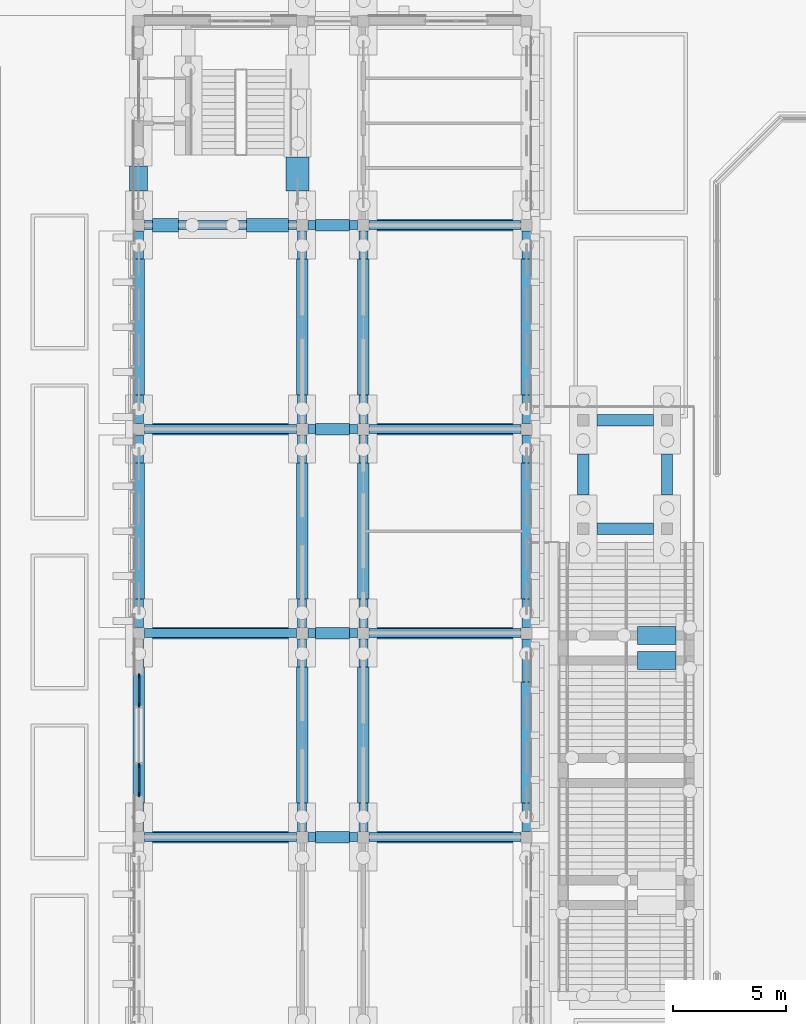
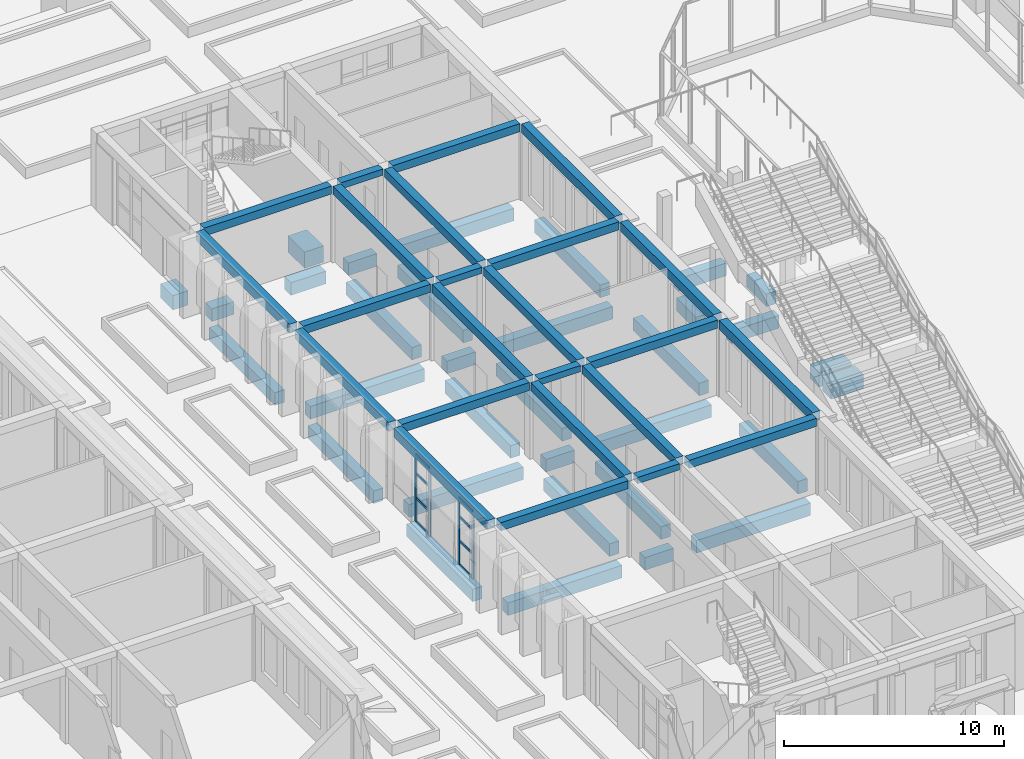
# One storey, part 36 of 161: 57 beams, 12 members, 2 elements without a shape of their own.
"""IFC4 building model written with IfcOpenShell, lengths in metres."""

from ifc_helpers import new_model, si_unit, direction, frame, origin, origin_2d, place, context, subcontext, project, spatial, rectangle, extrude, material, layer, layer_set, material_profile, profile_set, type_object, element, aggregate, save


model = new_model("IFC4")

# Units and contexts
model_context = context("Model", 3, precision=1e-05, world=origin(), true_north=direction((0.0, 1.0)))
body_context = subcontext(model_context, "Body", "Model", "MODEL_VIEW")
ifc_project = project(units=[si_unit("LENGTHUNIT", "METRE"), si_unit("AREAUNIT", "SQUARE_METRE"), si_unit("VOLUMEUNIT", "CUBIC_METRE"), si_unit("PLANEANGLEUNIT", "RADIAN"), si_unit("MASSUNIT", "GRAM", prefix="KILO")], contexts=[model_context])

# Site, building, storey
site_placement = place(None, origin())
site = spatial("IfcSite", under=ifc_project, at=site_placement, CompositionType="ELEMENT")
building_placement = place(site_placement, origin())
building = spatial("IfcBuilding", under=site, at=building_placement, Name="Elbe Cascade School", CompositionType="ELEMENT")
storey_placement = place(building_placement, origin())
storey = spatial("IfcBuildingStorey", under=building, at=storey_placement, Name="L00", CompositionType="ELEMENT", Elevation=0.0)

# Curtain wall, members
ifc_material_1 = material(Name="Aluminium frame with double glazing, bronze anodised", Category="aluminium")
ifc_layer = layer(ifc_material_1, 0.199951171875)
ifc_layer_set = layer_set([ifc_layer], Name="Aluminium frame with double glazing, bronze anodised")
curtain_wall_type = type_object("IfcCurtainWallType", Name="Bars envelope Curtain wall, aluminium, bronze anodised, ground floor tall run", PredefinedType="NOTDEFINED", material=ifc_layer_set)
curtain_wall_1_placement = place(storey_placement, origin())
curtain_wall_1 = element("IfcCurtainWall", 1, at=curtain_wall_1_placement, inside=storey, type_object=curtain_wall_type, Name="Curtain wall CW3 D.L00.w3l", PredefinedType="NOTDEFINED")
ifc_material_2 = material(Name="Aluminium mullion, bronze anodised", Category="aluminium")
ifc_material_profile_1 = material_profile(ifc_material_2, rectangle(XDim=0.06005859375, YDim=0.199951171875, at=origin_2d()), Name="Bars envelope Curtain wall mullion 60 x 200, aluminium, ground floor tall run")
ifc_profile_set_1 = profile_set([ifc_material_profile_1], Name="Aluminium mullion, bronze anodised")
member_type_1 = type_object("IfcMemberType", Name="Bars envelope Curtain wall mullion 60 x 200, aluminium, ground floor tall run", PredefinedType="MULLION", material=ifc_profile_set_1)
member_1_placement = place(storey_placement, frame((157.800048828125, 25.8798828125, 0.0), z_axis=(0.0, 0.0, 1.0), x_axis=(-1.0, 0.0, 0.0)))
member_1 = element("IfcMember", 2, at=member_1_placement, type_object=member_type_1, Name="CW3 mullion 1", PredefinedType="MULLION", context=body_context, shape_type="SweptSolid", body=[
    extrude(rectangle(XDim=0.06005859375, YDim=0.199951171875, at=origin_2d()), origin(), (0.0, 0.0, 1.0), 3.75),
])
member_2_placement = place(storey_placement, frame((157.800048828125, 27.169921875, 0.0), z_axis=(0.0, 0.0, 1.0), x_axis=(-1.0, 0.0, 0.0)))
member_2 = element("IfcMember", 3, at=member_2_placement, type_object=member_type_1, Name="CW3 mullion 2", PredefinedType="MULLION", context=body_context, shape_type="SweptSolid", body=[
    extrude(rectangle(XDim=0.06005859375, YDim=0.199951171875, at=origin_2d()), origin(), (0.0, 0.0, 1.0), 3.75),
])

curtain_wall_2_placement = place(storey_placement, origin())
curtain_wall_2 = element("IfcCurtainWall", 4, at=curtain_wall_2_placement, inside=storey, type_object=curtain_wall_type, Name="Curtain wall CW3 D.L00.w3r", PredefinedType="NOTDEFINED")
member_3_placement = place(storey_placement, frame((157.800048828125, 29.830078125, 0.0), z_axis=(0.0, 0.0, 1.0), x_axis=(-1.0, 0.0, 0.0)))
member_3 = element("IfcMember", 5, at=member_3_placement, type_object=member_type_1, Name="CW3 mullion 1", PredefinedType="MULLION", context=body_context, shape_type="SweptSolid", body=[
    extrude(rectangle(XDim=0.06005859375, YDim=0.199951171875, at=origin_2d()), origin(), (0.0, 0.0, 1.0), 3.75),
])
member_4_placement = place(storey_placement, frame((157.800048828125, 31.1201171875, 0.0), z_axis=(0.0, 0.0, 1.0), x_axis=(-1.0, 0.0, 0.0)))
member_4 = element("IfcMember", 6, at=member_4_placement, type_object=member_type_1, Name="CW3 mullion 2", PredefinedType="MULLION", context=body_context, shape_type="SweptSolid", body=[
    extrude(rectangle(XDim=0.06005859375, YDim=0.199951171875, at=origin_2d()), origin(), (0.0, 0.0, 1.0), 3.75),
])

# Member
ifc_material_3 = material(Name="Aluminium transom, bronze anodised", Category="aluminium")
ifc_material_profile_2 = material_profile(ifc_material_3, rectangle(XDim=0.06005859375, YDim=0.139892578125, at=origin_2d()), Name="Bars envelope Curtain wall transom 60 x 140, aluminium, ground floor tall run")
ifc_profile_set_2 = profile_set([ifc_material_profile_2], Name="Aluminium transom, bronze anodised")
member_type_2 = type_object("IfcMemberType", Name="Bars envelope Curtain wall transom 60 x 140, aluminium, ground floor tall run", PredefinedType="USERDEFINED", material=ifc_profile_set_2)
member_5_placement = place(storey_placement, frame((157.800048828125, 25.909912109375, 0.030029296875), z_axis=(0.0, 1.0, 0.0), x_axis=(-1.0, 0.0, 0.0)))
member_5 = element("IfcMember", 7, at=member_5_placement, type_object=member_type_2, Name="CW3 transom 1.1", ObjectType="TRANSOM", PredefinedType="USERDEFINED", context=body_context, shape_type="SweptSolid", body=[
    extrude(rectangle(XDim=0.06005859375, YDim=0.139892578125, at=origin_2d()), origin(), (0.0, 0.0, 1.0), 1.22998046875),
])

member_6_placement = place(storey_placement, frame((157.800048828125, 25.909912109375, 1.35009765625), z_axis=(0.0, 1.0, 0.0), x_axis=(-1.0, 0.0, 0.0)))
member_6 = element("IfcMember", 8, at=member_6_placement, type_object=member_type_2, Name="CW3 transom 1.2", ObjectType="TRANSOM", PredefinedType="USERDEFINED", context=body_context, shape_type="SweptSolid", body=[
    extrude(rectangle(XDim=0.06005859375, YDim=0.139892578125, at=origin_2d()), origin(), (0.0, 0.0, 1.0), 1.22998046875),
])

member_7_placement = place(storey_placement, frame((157.800048828125, 25.909912109375, 2.699951171875), z_axis=(0.0, 1.0, 0.0), x_axis=(-1.0, 0.0, 0.0)))
member_7 = element("IfcMember", 9, at=member_7_placement, type_object=member_type_2, Name="CW3 transom 1.3", ObjectType="TRANSOM", PredefinedType="USERDEFINED", context=body_context, shape_type="SweptSolid", body=[
    extrude(rectangle(XDim=0.06005859375, YDim=0.139892578125, at=origin_2d()), origin(), (0.0, 0.0, 1.0), 1.22998046875),
])

member_8_placement = place(storey_placement, frame((157.800048828125, 25.909912109375, 3.719970703125), z_axis=(0.0, 1.0, 0.0), x_axis=(-1.0, 0.0, 0.0)))
member_8 = element("IfcMember", 10, at=member_8_placement, type_object=member_type_2, Name="CW3 transom 1.4", ObjectType="TRANSOM", PredefinedType="USERDEFINED", context=body_context, shape_type="SweptSolid", body=[
    extrude(rectangle(XDim=0.06005859375, YDim=0.139892578125, at=origin_2d()), origin(), (0.0, 0.0, 1.0), 1.22998046875),
])

aggregate(curtain_wall_1, [member_1, member_2, member_5, member_6, member_7, member_8])

member_9_placement = place(storey_placement, frame((157.800048828125, 29.860107421875, 0.030029296875), z_axis=(0.0, 1.0, 0.0), x_axis=(-1.0, 0.0, 0.0)))
member_9 = element("IfcMember", 11, at=member_9_placement, type_object=member_type_2, Name="CW3 transom 1.1", ObjectType="TRANSOM", PredefinedType="USERDEFINED", context=body_context, shape_type="SweptSolid", body=[
    extrude(rectangle(XDim=0.06005859375, YDim=0.139892578125, at=origin_2d()), origin(), (0.0, 0.0, 1.0), 1.22998046875),
])

member_10_placement = place(storey_placement, frame((157.800048828125, 29.860107421875, 1.35009765625), z_axis=(0.0, 1.0, 0.0), x_axis=(-1.0, 0.0, 0.0)))
member_10 = element("IfcMember", 12, at=member_10_placement, type_object=member_type_2, Name="CW3 transom 1.2", ObjectType="TRANSOM", PredefinedType="USERDEFINED", context=body_context, shape_type="SweptSolid", body=[
    extrude(rectangle(XDim=0.06005859375, YDim=0.139892578125, at=origin_2d()), origin(), (0.0, 0.0, 1.0), 1.22998046875),
])

member_11_placement = place(storey_placement, frame((157.800048828125, 29.860107421875, 2.699951171875), z_axis=(0.0, 1.0, 0.0), x_axis=(-1.0, 0.0, 0.0)))
member_11 = element("IfcMember", 13, at=member_11_placement, type_object=member_type_2, Name="CW3 transom 1.3", ObjectType="TRANSOM", PredefinedType="USERDEFINED", context=body_context, shape_type="SweptSolid", body=[
    extrude(rectangle(XDim=0.06005859375, YDim=0.139892578125, at=origin_2d()), origin(), (0.0, 0.0, 1.0), 1.22998046875),
])

member_12_placement = place(storey_placement, frame((157.800048828125, 29.860107421875, 3.719970703125), z_axis=(0.0, 1.0, 0.0), x_axis=(-1.0, 0.0, 0.0)))
member_12 = element("IfcMember", 14, at=member_12_placement, type_object=member_type_2, Name="CW3 transom 1.4", ObjectType="TRANSOM", PredefinedType="USERDEFINED", context=body_context, shape_type="SweptSolid", body=[
    extrude(rectangle(XDim=0.06005859375, YDim=0.139892578125, at=origin_2d()), origin(), (0.0, 0.0, 1.0), 1.22998046875),
])

aggregate(curtain_wall_2, [member_3, member_4, member_9, member_10, member_11, member_12])

# Beams
ifc_material_4 = material(Name="Concrete C30/37", Category="concrete")
ifc_material_profile_3 = material_profile(ifc_material_4, rectangle(XDim=1.0, YDim=0.89990234375, at=origin_2d()), Name="RC 1000x900")
ifc_profile_set_3 = profile_set([ifc_material_profile_3], Name="Concrete C30/37")
beam_type_1 = type_object("IfcBeamType", Name="Found ground beam RC 1000x900", PredefinedType="BEAM", material=ifc_profile_set_3)
beam_1_placement = place(storey_placement, frame((164.800048828125, 52.5, -0.75), z_axis=(0.0, 1.0, 0.0), x_axis=(-1.0, 0.0, 0.0)))
element("IfcBeam", 15, at=beam_1_placement, inside=storey, type_object=beam_type_1, Name="Ground beam 048", PredefinedType="BEAM", context=body_context, shape_type="SweptSolid", body=[
    extrude(rectangle(XDim=1.0, YDim=0.89990234375, at=origin_2d()), origin(), (0.0, 0.0, 1.0), 1.5),
])
ifc_material_5 = material(Name="Concrete C30/37", Category="concrete")
ifc_material_profile_4 = material_profile(ifc_material_5, rectangle(XDim=0.5, YDim=0.699951171875, at=origin_2d()), Name="RC 500x700")
ifc_profile_set_4 = profile_set([ifc_material_profile_4], Name="Concrete C30/37")
beam_type_2 = type_object("IfcBeamType", Name="Found ground beam RC 500x700", PredefinedType="BEAM", material=ifc_profile_set_4)
beam_2_placement = place(storey_placement, frame((158.39990234375, 24.0, -0.64990234375), z_axis=(1.0, 0.0, 0.0), x_axis=(0.0, 1.0, 0.0)))
element("IfcBeam", 16, at=beam_2_placement, inside=storey, type_object=beam_type_2, Name="Ground beam 288", PredefinedType="BEAM", context=body_context, shape_type="SweptSolid", body=[
    extrude(rectangle(XDim=0.5, YDim=0.699951171875, at=origin_2d()), origin(), (0.0, 0.0, 1.0), 6.0),
])
beam_3_placement = place(storey_placement, frame((165.60009765625, 24.0, -0.64990234375), z_axis=(1.0, 0.0, 0.0), x_axis=(0.0, 1.0, 0.0)))
element("IfcBeam", 17, at=beam_3_placement, inside=storey, type_object=beam_type_2, Name="Ground beam 289", PredefinedType="BEAM", context=body_context, shape_type="SweptSolid", body=[
    extrude(rectangle(XDim=0.5, YDim=0.699951171875, at=origin_2d()), origin(), (0.0, 0.0, 1.0), 1.5),
])
for number, where, z_axis, x_axis, name in (
    (18, (168.300048828125, 24.0, -0.64990234375), (1.0, 0.0, 0.0), (0.0, 1.0, 0.0), "Ground beam 290"),
    (19, (158.39990234375, 33.0, -0.64990234375), (1.0, 0.0, 0.0), (0.0, 1.0, 0.0), "Ground beam 291"),
):
    element("IfcBeam", number, at=place(storey_placement, frame(where, z_axis=z_axis, x_axis=x_axis)), inside=storey, type_object=beam_type_2, Name=name, PredefinedType="BEAM", context=body_context, shape_type="SweptSolid", body=[
        extrude(rectangle(XDim=0.5, YDim=0.699951171875, at=origin_2d()), origin(), (0.0, 0.0, 1.0), 6.0),
    ])
beam_4_placement = place(storey_placement, frame((165.60009765625, 33.0, -0.64990234375), z_axis=(1.0, 0.0, 0.0), x_axis=(0.0, 1.0, 0.0)))
element("IfcBeam", 20, at=beam_4_placement, inside=storey, type_object=beam_type_2, Name="Ground beam 292", PredefinedType="BEAM", context=body_context, shape_type="SweptSolid", body=[
    extrude(rectangle(XDim=0.5, YDim=0.699951171875, at=origin_2d()), origin(), (0.0, 0.0, 1.0), 1.5),
])
for number, where, z_axis, x_axis, name in (
    (21, (168.300048828125, 33.0, -0.64990234375), (1.0, 0.0, 0.0), (0.0, 1.0, 0.0), "Ground beam 293"),
    (22, (158.39990234375, 42.0, -0.64990234375), (1.0, 0.0, 0.0), (0.0, 1.0, 0.0), "Ground beam 294"),
):
    element("IfcBeam", number, at=place(storey_placement, frame(where, z_axis=z_axis, x_axis=x_axis)), inside=storey, type_object=beam_type_2, Name=name, PredefinedType="BEAM", context=body_context, shape_type="SweptSolid", body=[
        extrude(rectangle(XDim=0.5, YDim=0.699951171875, at=origin_2d()), origin(), (0.0, 0.0, 1.0), 6.0),
    ])
beam_5_placement = place(storey_placement, frame((165.60009765625, 42.0, -0.64990234375), z_axis=(1.0, 0.0, 0.0), x_axis=(0.0, 1.0, 0.0)))
element("IfcBeam", 23, at=beam_5_placement, inside=storey, type_object=beam_type_2, Name="Ground beam 295", PredefinedType="BEAM", context=body_context, shape_type="SweptSolid", body=[
    extrude(rectangle(XDim=0.5, YDim=0.699951171875, at=origin_2d()), origin(), (0.0, 0.0, 1.0), 1.5),
])
beam_6_placement = place(storey_placement, frame((168.300048828125, 42.0, -0.64990234375), z_axis=(1.0, 0.0, 0.0), x_axis=(0.0, 1.0, 0.0)))
element("IfcBeam", 24, at=beam_6_placement, inside=storey, type_object=beam_type_2, Name="Ground beam 296", PredefinedType="BEAM", context=body_context, shape_type="SweptSolid", body=[
    extrude(rectangle(XDim=0.5, YDim=0.699951171875, at=origin_2d()), origin(), (0.0, 0.0, 1.0), 6.0),
])
beam_7_placement = place(storey_placement, frame((165.60009765625, 51.0, -0.64990234375), z_axis=(1.0, 0.0, 0.0), x_axis=(0.0, 1.0, 0.0)))
element("IfcBeam", 25, at=beam_7_placement, inside=storey, type_object=beam_type_2, Name="Ground beam 297", PredefinedType="BEAM", context=body_context, shape_type="SweptSolid", body=[
    extrude(rectangle(XDim=0.5, YDim=0.699951171875, at=origin_2d()), origin(), (0.0, 0.0, 1.0), 1.5),
])
for number, where, z_axis, x_axis, name in (
    (26, (168.300048828125, 51.0, -0.64990234375), (1.0, 0.0, 0.0), (0.0, 1.0, 0.0), "Ground beam 298"),
    (27, (157.800048828125, 25.5, -0.64990234375), (0.0, 1.0, 0.0), (-1.0, 0.0, 0.0), "Ground beam 300"),
    (28, (157.800048828125, 34.5, -0.64990234375), (0.0, 1.0, 0.0), (-1.0, 0.0, 0.0), "Ground beam 301"),
    (29, (157.800048828125, 43.5, -0.64990234375), (0.0, 1.0, 0.0), (-1.0, 0.0, 0.0), "Ground beam 302"),
    (30, (165.0, 25.5, -0.64990234375), (0.0, 1.0, 0.0), (-1.0, 0.0, 0.0), "Ground beam 304"),
    (31, (165.0, 34.5, -0.64990234375), (0.0, 1.0, 0.0), (-1.0, 0.0, 0.0), "Ground beam 305"),
    (32, (165.0, 43.5, -0.64990234375), (0.0, 1.0, 0.0), (-1.0, 0.0, 0.0), "Ground beam 306"),
    (33, (167.699951171875, 25.5, -0.64990234375), (0.0, 1.0, 0.0), (-1.0, 0.0, 0.0), "Ground beam 309"),
    (34, (167.699951171875, 34.5, -0.64990234375), (0.0, 1.0, 0.0), (-1.0, 0.0, 0.0), "Ground beam 310"),
    (35, (167.699951171875, 43.5, -0.64990234375), (0.0, 1.0, 0.0), (-1.0, 0.0, 0.0), "Ground beam 311"),
):
    element("IfcBeam", number, at=place(storey_placement, frame(where, z_axis=z_axis, x_axis=x_axis)), inside=storey, type_object=beam_type_2, Name=name, PredefinedType="BEAM", context=body_context, shape_type="SweptSolid", body=[
        extrude(rectangle(XDim=0.5, YDim=0.699951171875, at=origin_2d()), origin(), (0.0, 0.0, 1.0), 6.0),
    ])
beam_8_placement = place(storey_placement, frame((174.89990234375, 25.5, -0.64990234375), z_axis=(0.0, 1.0, 0.0), x_axis=(-1.0, 0.0, 0.0)))
element("IfcBeam", 36, at=beam_8_placement, inside=storey, type_object=beam_type_2, Name="Ground beam 315", PredefinedType="BEAM", context=body_context, shape_type="SweptSolid", body=[
    extrude(rectangle(XDim=0.5, YDim=0.699951171875, at=origin_2d()), origin(), (0.0, 0.0, 1.0), 5.35009765625),
])
for number, where, z_axis, x_axis, name in (
    (37, (174.89990234375, 34.5, -0.64990234375), (0.0, 1.0, 0.0), (-1.0, 0.0, 0.0), "Ground beam 316"),
    (38, (174.89990234375, 43.5, -0.64990234375), (0.0, 1.0, 0.0), (-1.0, 0.0, 0.0), "Ground beam 317"),
):
    element("IfcBeam", number, at=place(storey_placement, frame(where, z_axis=z_axis, x_axis=x_axis)), inside=storey, type_object=beam_type_2, Name=name, PredefinedType="BEAM", context=body_context, shape_type="SweptSolid", body=[
        extrude(rectangle(XDim=0.5, YDim=0.699951171875, at=origin_2d()), origin(), (0.0, 0.0, 1.0), 6.0),
    ])
for number, where, z_axis, x_axis, name in (
    (39, (178.0, 37.60009765625, -0.64990234375), (1.0, 0.0, 0.0), (0.0, 1.0, 0.0), "Ground beam 373"),
    (40, (178.0, 42.39990234375, -0.64990234375), (1.0, 0.0, 0.0), (0.0, 1.0, 0.0), "Ground beam 374"),
):
    element("IfcBeam", number, at=place(storey_placement, frame(where, z_axis=z_axis, x_axis=x_axis)), inside=storey, type_object=beam_type_2, Name=name, PredefinedType="BEAM", context=body_context, shape_type="SweptSolid", body=[
        extrude(rectangle(XDim=0.5, YDim=0.699951171875, at=origin_2d()), origin(), (0.0, 0.0, 1.0), 2.5),
    ])
for number, where, z_axis, x_axis, name in (
    (41, (177.39990234375, 39.10009765625, -0.64990234375), (0.0, 1.0, 0.0), (-1.0, 0.0, 0.0), "Ground beam 375"),
    (42, (181.10009765625, 39.10009765625, -0.64990234375), (0.0, 1.0, 0.0), (-1.0, 0.0, 0.0), "Ground beam 376"),
):
    element("IfcBeam", number, at=place(storey_placement, frame(where, z_axis=z_axis, x_axis=x_axis)), inside=storey, type_object=beam_type_2, Name=name, PredefinedType="BEAM", context=body_context, shape_type="SweptSolid", body=[
        extrude(rectangle(XDim=0.5, YDim=0.699951171875, at=origin_2d()), origin(), (0.0, 0.0, 1.0), 1.7998046875),
    ])
ifc_material_6 = material(Name="Concrete C30/37", Category="concrete")
ifc_material_profile_5 = material_profile(ifc_material_6, rectangle(XDim=0.60009765625, YDim=0.699951171875, at=origin_2d()), Name="RC 600x700")
ifc_profile_set_5 = profile_set([ifc_material_profile_5], Name="Concrete C30/37")
beam_type_3 = type_object("IfcBeamType", Name="Found ground beam RC 600x700", PredefinedType="BEAM", material=ifc_profile_set_5)
beam_9_placement = place(storey_placement, frame((158.39990234375, 51.0, -0.64990234375), z_axis=(1.0, 0.0, 0.0), x_axis=(0.0, 1.0, 0.0)))
element("IfcBeam", 43, at=beam_9_placement, inside=storey, type_object=beam_type_3, Name="Ground beam 158", PredefinedType="BEAM", context=body_context, shape_type="SweptSolid", body=[
    extrude(rectangle(XDim=0.60009765625, YDim=0.699951171875, at=origin_2d()), origin(), (0.0, 0.0, 1.0), 1.150146484375),
])
beam_10_placement = place(storey_placement, frame((162.550048828125, 51.0, -0.64990234375), z_axis=(1.0, 0.0, 0.0), x_axis=(0.0, 1.0, 0.0)))
element("IfcBeam", 44, at=beam_10_placement, inside=storey, type_object=beam_type_3, Name="Ground beam 159", PredefinedType="BEAM", context=body_context, shape_type="SweptSolid", body=[
    extrude(rectangle(XDim=0.60009765625, YDim=0.699951171875, at=origin_2d()), origin(), (0.0, 0.0, 1.0), 1.849853515625),
])
ifc_material_7 = material(Name="Concrete C30/37", Category="concrete")
ifc_material_profile_6 = material_profile(ifc_material_7, rectangle(XDim=0.800048828125, YDim=0.800048828125, at=origin_2d()), Name="RC 800x800")
ifc_profile_set_6 = profile_set([ifc_material_profile_6], Name="Concrete C30/37")
beam_type_4 = type_object("IfcBeamType", Name="Found ground beam RC 800x800", PredefinedType="BEAM", material=ifc_profile_set_6)
beam_11_placement = place(storey_placement, frame((157.780029296875, 52.5, -0.699951171875), z_axis=(0.0, 1.0, 0.0), x_axis=(-1.0, 0.0, 0.0)))
element("IfcBeam", 45, at=beam_11_placement, inside=storey, type_object=beam_type_4, Name="Ground beam 074", PredefinedType="BEAM", context=body_context, shape_type="SweptSolid", body=[
    extrude(rectangle(XDim=0.800048828125, YDim=0.800048828125, at=origin_2d()), origin(), (0.0, 0.0, 1.0), 1.110107421875),
])
for number, where, z_axis, x_axis, name in (
    (46, (179.800048828125, 31.800048828125, -0.699951171875), (1.0, 0.0, 0.0), (0.0, 1.0, 0.0), "Ground beam 088"),
    (47, (179.800048828125, 32.89990234375, -0.699951171875), (1.0, 0.0, 0.0), (0.0, 1.0, 0.0), "Ground beam 089"),
):
    element("IfcBeam", number, at=place(storey_placement, frame(where, z_axis=z_axis, x_axis=x_axis)), inside=storey, type_object=beam_type_4, Name=name, PredefinedType="BEAM", context=body_context, shape_type="SweptSolid", body=[
        extrude(rectangle(XDim=0.800048828125, YDim=0.800048828125, at=origin_2d()), origin(), (0.0, 0.0, 1.0), 1.699951171875),
    ])
ifc_material_8 = material(Name="Concrete C30/37", Category="concrete")
ifc_material_profile_7 = material_profile(ifc_material_8, rectangle(XDim=0.39990234375, YDim=0.35009765625, at=origin_2d()), Name="RC 400x350")
ifc_profile_set_7 = profile_set([ifc_material_profile_7], Name="Concrete C30/37")
beam_type_5 = type_object("IfcBeamType", Name="RC 400x350 beam", PredefinedType="BEAM", material=ifc_profile_set_7)
for number, where, z_axis, x_axis, name in (
    (48, (165.25, 24.0, 4.074951171875), (1.0, 0.0, 0.0), (0.0, 1.0, 0.0), "RC 400x350 beam B3"),
    (49, (165.25, 33.0, 4.074951171875), (1.0, 0.0, 0.0), (0.0, 1.0, 0.0), "RC 400x350 beam B3"),
    (50, (165.25, 42.0, 4.074951171875), (1.0, 0.0, 0.0), (0.0, 1.0, 0.0), "RC 400x350 beam B3"),
    (51, (165.25, 51.0, 4.074951171875), (1.0, 0.0, 0.0), (0.0, 1.0, 0.0), "RC 400x350 beam B3"),
):
    element("IfcBeam", number, at=place(storey_placement, frame(where, z_axis=z_axis, x_axis=x_axis)), inside=storey, type_object=beam_type_5, Name=name, PredefinedType="BEAM", context=body_context, shape_type="SweptSolid", body=[
        extrude(rectangle(XDim=0.39990234375, YDim=0.35009765625, at=origin_2d()), origin(), (0.0, 0.0, 1.0), 2.199951171875),
    ])
ifc_material_9 = material(Name="Concrete C30/37", Category="concrete")
ifc_material_profile_8 = material_profile(ifc_material_9, rectangle(XDim=0.39990234375, YDim=0.449951171875, at=origin_2d()), Name="RC 400x450")
ifc_profile_set_8 = profile_set([ifc_material_profile_8], Name="Concrete C30/37")
beam_type_6 = type_object("IfcBeamType", Name="RC 400x450 beam", PredefinedType="BEAM", material=ifc_profile_set_8)
for number, where, z_axis, x_axis, name in (
    (52, (165.0, 24.25, 4.02490234375), (0.0, 1.0, 0.0), (-1.0, 0.0, 0.0), "RC 400x450 beam B2"),
    (53, (165.0, 33.25, 4.02490234375), (0.0, 1.0, 0.0), (-1.0, 0.0, 0.0), "RC 400x450 beam B2"),
    (54, (165.0, 42.25, 4.02490234375), (0.0, 1.0, 0.0), (-1.0, 0.0, 0.0), "RC 400x450 beam B2"),
    (55, (167.699951171875, 24.25, 4.02490234375), (0.0, 1.0, 0.0), (-1.0, 0.0, 0.0), "RC 400x450 beam B2"),
    (56, (167.699951171875, 33.25, 4.02490234375), (0.0, 1.0, 0.0), (-1.0, 0.0, 0.0), "RC 400x450 beam B2"),
    (57, (167.699951171875, 42.25, 4.02490234375), (0.0, 1.0, 0.0), (-1.0, 0.0, 0.0), "RC 400x450 beam B2"),
):
    element("IfcBeam", number, at=place(storey_placement, frame(where, z_axis=z_axis, x_axis=x_axis)), inside=storey, type_object=beam_type_6, Name=name, PredefinedType="BEAM", context=body_context, shape_type="SweptSolid", body=[
        extrude(rectangle(XDim=0.39990234375, YDim=0.449951171875, at=origin_2d()), origin(), (0.0, 0.0, 1.0), 8.5),
    ])
for number, where, z_axis, x_axis, name in (
    (58, (158.050048828125, 24.0, 4.02490234375), (1.0, 0.0, 0.0), (0.0, 1.0, 0.0), "RC 400x450 beam B2"),
    (59, (167.949951171875, 24.0, 4.02490234375), (1.0, 0.0, 0.0), (0.0, 1.0, 0.0), "RC 400x450 beam B2"),
    (60, (158.050048828125, 33.0, 4.02490234375), (1.0, 0.0, 0.0), (0.0, 1.0, 0.0), "RC 400x450 beam B2"),
    (61, (167.949951171875, 33.0, 4.02490234375), (1.0, 0.0, 0.0), (0.0, 1.0, 0.0), "RC 400x450 beam B2"),
    (62, (158.050048828125, 42.0, 4.02490234375), (1.0, 0.0, 0.0), (0.0, 1.0, 0.0), "RC 400x450 beam B2"),
    (63, (167.949951171875, 42.0, 4.02490234375), (1.0, 0.0, 0.0), (0.0, 1.0, 0.0), "RC 400x450 beam B2"),
    (64, (158.050048828125, 51.0, 4.02490234375), (1.0, 0.0, 0.0), (0.0, 1.0, 0.0), "RC 400x450 beam B2"),
    (65, (167.949951171875, 51.0, 4.02490234375), (1.0, 0.0, 0.0), (0.0, 1.0, 0.0), "RC 400x450 beam B2"),
):
    element("IfcBeam", number, at=place(storey_placement, frame(where, z_axis=z_axis, x_axis=x_axis)), inside=storey, type_object=beam_type_6, Name=name, PredefinedType="BEAM", context=body_context, shape_type="SweptSolid", body=[
        extrude(rectangle(XDim=0.39990234375, YDim=0.449951171875, at=origin_2d()), origin(), (0.0, 0.0, 1.0), 6.699951171875),
    ])
ifc_material_10 = material(Name="Concrete C30/37", Category="concrete")
ifc_material_profile_9 = material_profile(ifc_material_10, rectangle(XDim=0.39990234375, YDim=0.5, at=origin_2d()), Name="RC 400x500")
ifc_profile_set_9 = profile_set([ifc_material_profile_9], Name="Concrete C30/37")
beam_type_7 = type_object("IfcBeamType", Name="RC 400x500 beam", PredefinedType="BEAM", material=ifc_profile_set_9)
for number, where, z_axis, x_axis, name in (
    (66, (157.800048828125, 24.25, 4.0), (0.0, 1.0, 0.0), (-1.0, 0.0, 0.0), "RC 400x500 beam B1"),
    (67, (157.800048828125, 33.25, 4.0), (0.0, 1.0, 0.0), (-1.0, 0.0, 0.0), "RC 400x500 beam B1"),
    (68, (157.800048828125, 42.25, 4.0), (0.0, 1.0, 0.0), (-1.0, 0.0, 0.0), "RC 400x500 beam B1"),
    (69, (174.89990234375, 24.25, 4.0), (0.0, 1.0, 0.0), (-1.0, 0.0, 0.0), "RC 400x500 beam B1"),
    (70, (174.89990234375, 33.25, 4.0), (0.0, 1.0, 0.0), (-1.0, 0.0, 0.0), "RC 400x500 beam B1"),
    (71, (174.89990234375, 42.25, 4.0), (0.0, 1.0, 0.0), (-1.0, 0.0, 0.0), "RC 400x500 beam B1"),
):
    element("IfcBeam", number, at=place(storey_placement, frame(where, z_axis=z_axis, x_axis=x_axis)), inside=storey, type_object=beam_type_7, Name=name, PredefinedType="BEAM", context=body_context, shape_type="SweptSolid", body=[
        extrude(rectangle(XDim=0.39990234375, YDim=0.5, at=origin_2d()), origin(), (0.0, 0.0, 1.0), 8.5),
    ])

save(model, "model.ifc")
